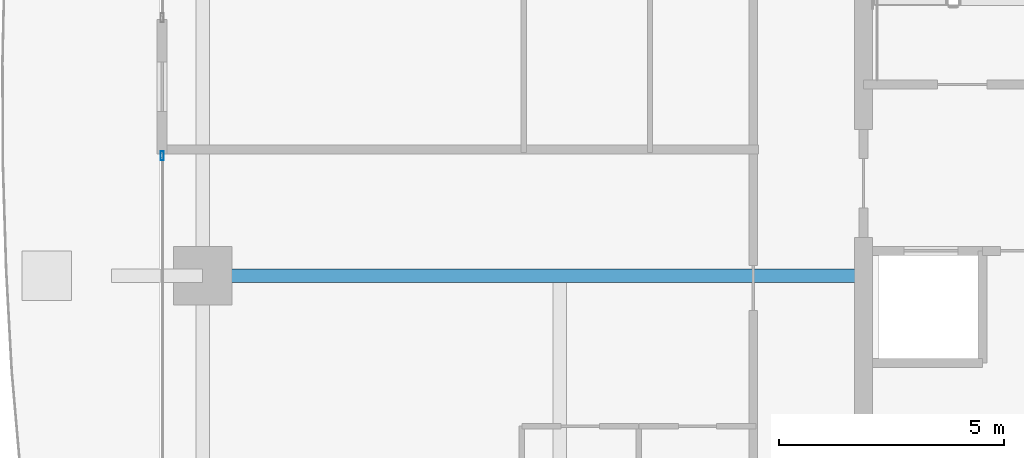
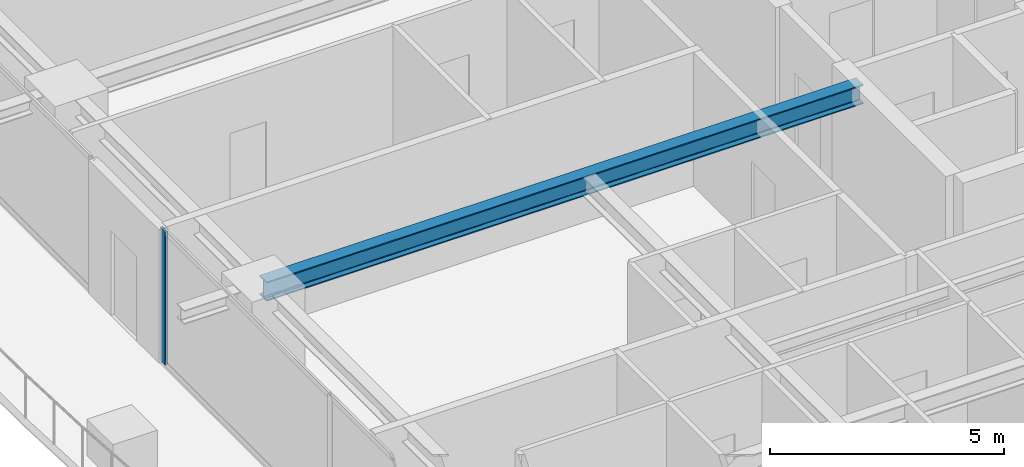
# One storey, part 8 of 34: 1 beam, 1 member, 1 element without a shape of its own.
"""IFC4 building model written with IfcOpenShell, lengths in metres."""

from ifc_helpers import new_model, si_unit, direction, frame, origin, origin_2d, place, context, subcontext, project, spatial, hollow_rectangle, i_section, extrude, source, transform, mapped, material, layer, layer_set, material_profile, profile_set, type_object, element, aggregate, save


model = new_model("IFC4")

# Units and contexts
model_context = context("Model", 3, precision=1e-05, world=origin(), true_north=direction((0.0, 1.0)))
body_context = subcontext(model_context, "Body", "Model", "MODEL_VIEW")
ifc_project = project(units=[si_unit("LENGTHUNIT", "METRE"), si_unit("AREAUNIT", "SQUARE_METRE"), si_unit("VOLUMEUNIT", "CUBIC_METRE"), si_unit("PLANEANGLEUNIT", "RADIAN"), si_unit("MASSUNIT", "GRAM", prefix="KILO")], contexts=[model_context])

# Site, building, storey
site_placement = place(None, origin())
site = spatial("IfcSite", under=ifc_project, at=site_placement, CompositionType="ELEMENT")
building_placement = place(site_placement, origin())
building = spatial("IfcBuilding", under=site, at=building_placement, Name="Serunith Strait Residences", CompositionType="ELEMENT")
storey_placement = place(building_placement, frame((0.0, 0.0, 142.64990234375)))
storey = spatial("IfcBuildingStorey", under=building, at=storey_placement, Name="L35", CompositionType="ELEMENT", Elevation=142.64990234375)

# Beam
ifc_material_1 = material(Name="Steel S355J2", Category="steel")
ifc_material_profile_1 = material_profile(ifc_material_1, i_section(OverallWidth=0.300048828125, OverallDepth=0.5, WebThickness=0.014404296875, FlangeThickness=0.028076171875, FilletRadius=0.027099609375, at=origin_2d()), Name="HEB 500")
ifc_profile_set_1 = profile_set([ifc_material_profile_1], Name="Steel S355J2")
beam_type = type_object("IfcBeamType", Name="BM-HEB500", PredefinedType="BEAM", material=ifc_profile_set_1)
shared_shape_1 = source(origin(), body_context, "Body", "SweptSolid", [
    extrude(i_section(OverallWidth=0.300048828125, OverallDepth=0.5, WebThickness=0.014404296875, FlangeThickness=0.028076171875, FilletRadius=0.027099609375, at=origin_2d()), origin(), (0.0, 0.0, 1.0), 14.699951171875),
])
beam_placement = place(storey_placement, frame((23.39990234375, 21.0, 3.237060546875), z_axis=(-1.0, 0.0, 0.0), x_axis=(0.0, -1.0, 0.0)))
element("IfcBeam", 1, at=beam_placement, inside=storey, type_object=beam_type, Name="L35 Primary Floor Girder TC-W2", PredefinedType="BEAM", context=body_context, shape_type="MappedRepresentation", body=[
    mapped(shared_shape_1, transform((0.0, 0.0, 0.0), scale=1.0)),
])

# Curtain wall, member
ifc_material_2 = material(Name="Pale-Champagne Anodised Aluminium", Category="aluminium")
ifc_layer = layer(ifc_material_2, 0.199951171875, Name="Pale-Champagne Anodised Aluminium")
ifc_layer_set = layer_set([ifc_layer], Name="Pale-Champagne Anodised Aluminium")
curtain_wall_type = type_object("IfcCurtainWallType", Name="CW-SYS2", PredefinedType="NOTDEFINED", material=ifc_layer_set)
curtain_wall_placement = place(storey_placement, origin())
curtain_wall = element("IfcCurtainWall", 2, at=curtain_wall_placement, inside=storey, type_object=curtain_wall_type, Name="L35 W Unitised Fritted Curtain Wall", PredefinedType="NOTDEFINED")
ifc_material_profile_2 = material_profile(ifc_material_2, hollow_rectangle(XDim=0.070068359375, YDim=0.199951171875, WallThickness=0.00390625, InnerFilletRadius=0.006103515625, OuterFilletRadius=0.010009765625, at=origin_2d()), Name="ALU 200x70x4")
ifc_profile_set_2 = profile_set([ifc_material_profile_2], Name="Pale-Champagne Anodised Aluminium")
member_type = type_object("IfcMemberType", Name="CW-SYS2-MULL", PredefinedType="MULLION", material=ifc_profile_set_2)
shared_shape_2 = source(origin(), body_context, "Body", "SweptSolid", [
    extrude(hollow_rectangle(XDim=0.070068359375, YDim=0.199951171875, WallThickness=0.00390625, InnerFilletRadius=0.006103515625, OuterFilletRadius=0.010009765625, at=origin_2d()), origin(), (0.0, 0.0, 1.0), 3.47509765625),
])
member_placement = place(storey_placement, frame((7.800048828125, 23.6650390625, 0.0), z_axis=(0.0, 0.0, 1.0), x_axis=(1.0, 0.0, 0.0)))
member = element("IfcMember", 3, at=member_placement, type_object=member_type, Name="CW-2 mullion 1", PredefinedType="MULLION", context=body_context, shape_type="MappedRepresentation", body=[
    mapped(shared_shape_2, transform((0.0, 0.0, 0.0), scale=1.0)),
])
aggregate(curtain_wall, [member])

save(model, "model.ifc")
